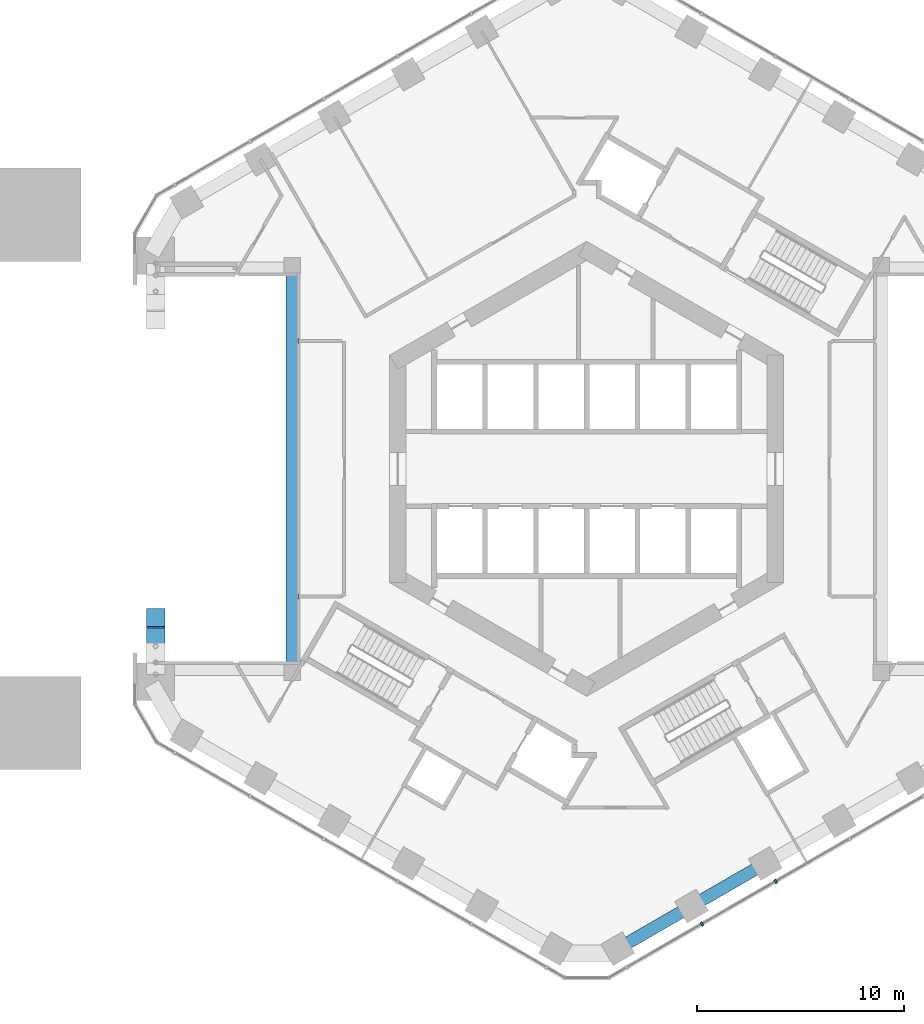
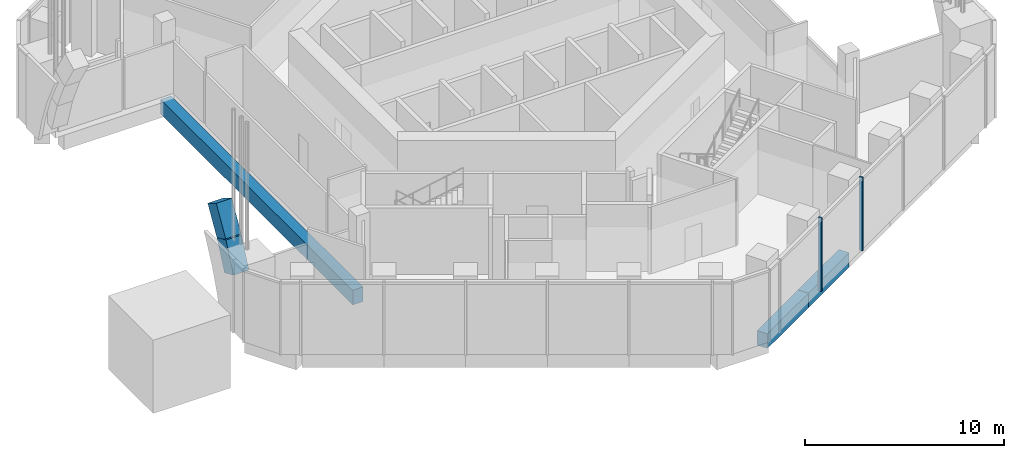
# One storey, part 3 of 14: 5 beams, 2 members, 1 element without a shape of its own.
"""IFC4 building model written with IfcOpenShell, lengths in metres."""

from ifc_helpers import new_model, si_unit, direction, frame, origin, origin_2d, place, context, subcontext, project, spatial, rectangle, extrude, material, layer, layer_set, material_profile, profile_set, type_object, element, aggregate, save


model = new_model("IFC4")

# Units and contexts
model_context = context("Model", 3, precision=1e-05, world=origin(), true_north=direction((0.0, 1.0)))
body_context = subcontext(model_context, "Body", "Model", "MODEL_VIEW")
ifc_project = project(units=[si_unit("LENGTHUNIT", "METRE"), si_unit("AREAUNIT", "SQUARE_METRE"), si_unit("VOLUMEUNIT", "CUBIC_METRE"), si_unit("PLANEANGLEUNIT", "RADIAN"), si_unit("MASSUNIT", "GRAM", prefix="KILO")], contexts=[model_context])

# Site, building, storey
site_placement = place(None, origin())
site = spatial("IfcSite", under=ifc_project, at=site_placement, CompositionType="ELEMENT")
building_placement = place(site_placement, origin())
building = spatial("IfcBuilding", under=site, at=building_placement, Name="Ayvan Gate Tower", CompositionType="ELEMENT")
storey_placement = place(building_placement, frame((0.0, 0.0, 7.0)))
storey = spatial("IfcBuildingStorey", under=building, at=storey_placement, Name="L01", CompositionType="ELEMENT", Elevation=7.0)

# Beams
ifc_material_1 = material(Name="Concrete C60/75", Category="concrete")
ifc_material_profile_1 = material_profile(ifc_material_1, rectangle(XDim=0.89990234375, YDim=1.0, at=origin_2d()), Name="RC 900x1000")
ifc_profile_set_1 = profile_set([ifc_material_profile_1], Name="Concrete C60/75")
beam_type_1 = type_object("IfcBeamType", Name="Arch rib RC 900x1000 C60/75", PredefinedType="BEAM", material=ifc_profile_set_1)
for number, where, z_axis, x_axis, name in (
    (1, (-20.78466796875, -7.16796875, 5.785888671875), (0.0, -0.511276682663, -0.859416170295), (1.0, 0.0, 0.0), "AR-3-16"),
    (2, (-20.78466796875, -8.121337890625, 4.183349609375), (0.0, -0.405360834835, -0.914156766415), (1.0, 0.0, 0.0), "AR-3-17"),
):
    element("IfcBeam", number, at=place(storey_placement, frame(where, z_axis=z_axis, x_axis=x_axis)), inside=storey, type_object=beam_type_1, Name=name, PredefinedType="BEAM", context=body_context, shape_type="SweptSolid", body=[
        extrude(rectangle(XDim=0.89990234375, YDim=1.0, at=origin_2d()), origin(), (0.0, 0.0, 1.0), 1.86474609375),
    ])
ifc_material_2 = material(Name="Concrete C40/50", Category="concrete")
ifc_material_profile_2 = material_profile(ifc_material_2, rectangle(XDim=0.60009765625, YDim=0.89990234375, at=origin_2d()), Name="RC 600x900")
ifc_profile_set_2 = profile_set([ifc_material_profile_2], Name="Concrete C40/50")
beam_type_2 = type_object("IfcBeamType", Name="Opening edge beam RC 600x900 C40/50", PredefinedType="BEAM", material=ifc_profile_set_2)
beam_placement = place(storey_placement, frame((-14.199951171875, 9.66796875, -0.85009765625), z_axis=(0.0, -1.0, 0.0), x_axis=(1.0, 0.0, 0.0)))
element("IfcBeam", 3, at=beam_placement, inside=storey, type_object=beam_type_2, Name="OB-L01-3-C", PredefinedType="BEAM", context=body_context, shape_type="SweptSolid", body=[
    extrude(rectangle(XDim=0.60009765625, YDim=0.89990234375, at=origin_2d()), origin(), (0.0, 0.0, 1.0), 19.3359375),
])
ifc_material_profile_3 = material_profile(ifc_material_2, rectangle(XDim=0.60009765625, YDim=0.89990234375, at=origin_2d()), Name="RC 600x900")
ifc_profile_set_3 = profile_set([ifc_material_profile_3], Name="Concrete C40/50")
beam_type_3 = type_object("IfcBeamType", Name="Spandrel beam RC 600x900 C40/50", PredefinedType="BEAM", material=ifc_profile_set_3)
for number, where, z_axis, x_axis, name in (
    (4, (1.5, -23.134033203125, -0.85009765625), (0.866010373586, 0.500026032164, 0.0), (-0.500026032164, 0.866010373586, 0.0), "SB-L01-31"),
    (5, (5.056884765625, -21.080322265625, -0.85009765625), (0.866036113234, 0.499981450231, 0.0), (-0.499981450231, 0.866036113234, 0.0), "SB-L01-32"),
):
    element("IfcBeam", number, at=place(storey_placement, frame(where, z_axis=z_axis, x_axis=x_axis)), inside=storey, type_object=beam_type_3, Name=name, PredefinedType="BEAM", context=body_context, shape_type="SweptSolid", body=[
        extrude(rectangle(XDim=0.60009765625, YDim=0.89990234375, at=origin_2d()), origin(), (0.0, 0.0, 1.0), 4.107177734375),
    ])

# Curtain wall, members
ifc_material_3 = material(Name="Bronze anodised aluminium", Category="aluminium")
ifc_layer = layer(ifc_material_3, 0.199951171875)
ifc_layer_set = layer_set([ifc_layer], Name="Bronze anodised aluminium")
curtain_wall_type = type_object("IfcCurtainWallType", Name="Stick curtain wall CW-3", PredefinedType="NOTDEFINED", material=ifc_layer_set)
curtain_wall_placement = place(storey_placement, origin())
curtain_wall = element("IfcCurtainWall", 6, at=curtain_wall_placement, inside=storey, type_object=curtain_wall_type, Name="Stick curtain wall CW-3 L01", PredefinedType="NOTDEFINED")
ifc_material_profile_4 = material_profile(ifc_material_3, rectangle(XDim=0.199951171875, YDim=0.10009765625, at=origin_2d()), Name="Stick curtain wall CW-3 mullion 200 x 100")
ifc_profile_set_4 = profile_set([ifc_material_profile_4], Name="Bronze anodised aluminium")
member_type = type_object("IfcMemberType", Name="Stick curtain wall CW-3 mullion 200 x 100", PredefinedType="MULLION", material=ifc_profile_set_4)
member_1_placement = place(storey_placement, frame((5.55712890625, -21.9462890625, 0.0), z_axis=(0.0, 0.0, 1.0), x_axis=(0.5, -0.866025403784, 0.0)))
member_1 = element("IfcMember", 7, at=member_1_placement, type_object=member_type, Name="CW-3 mullion 2", PredefinedType="MULLION", context=body_context, shape_type="SweptSolid", body=[
    extrude(rectangle(XDim=0.199951171875, YDim=0.10009765625, at=origin_2d()), origin(), (0.0, 0.0, 1.0), 4.5),
])
member_2_placement = place(storey_placement, frame((9.11376953125, -19.892822265625, 0.0), z_axis=(0.0, 0.0, 1.0), x_axis=(0.5, -0.866025403784, 0.0)))
member_2 = element("IfcMember", 8, at=member_2_placement, type_object=member_type, Name="CW-3 mullion 3", PredefinedType="MULLION", context=body_context, shape_type="SweptSolid", body=[
    extrude(rectangle(XDim=0.199951171875, YDim=0.10009765625, at=origin_2d()), origin(), (0.0, 0.0, 1.0), 4.5),
])
aggregate(curtain_wall, [member_1, member_2])

save(model, "model.ifc")
